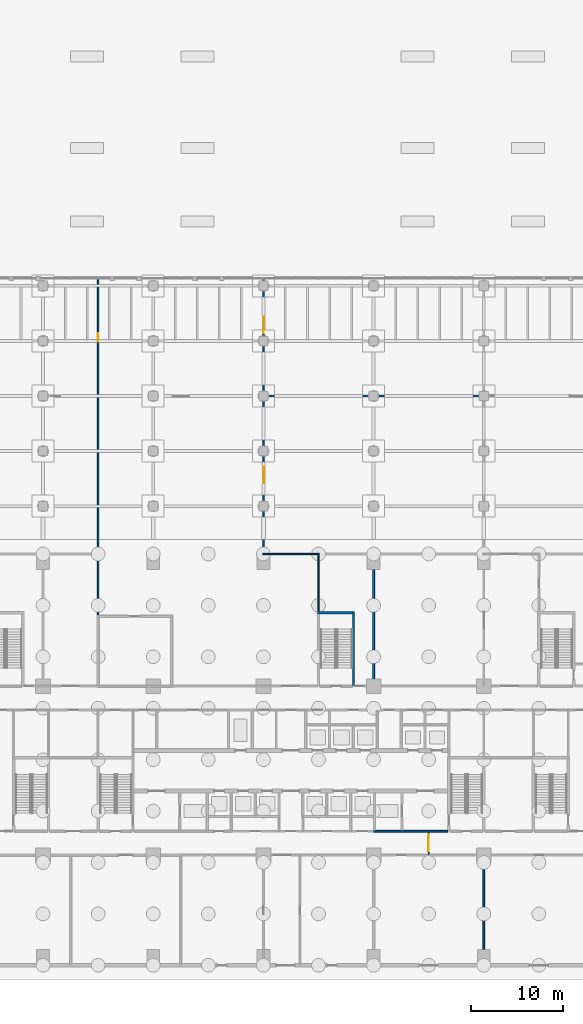
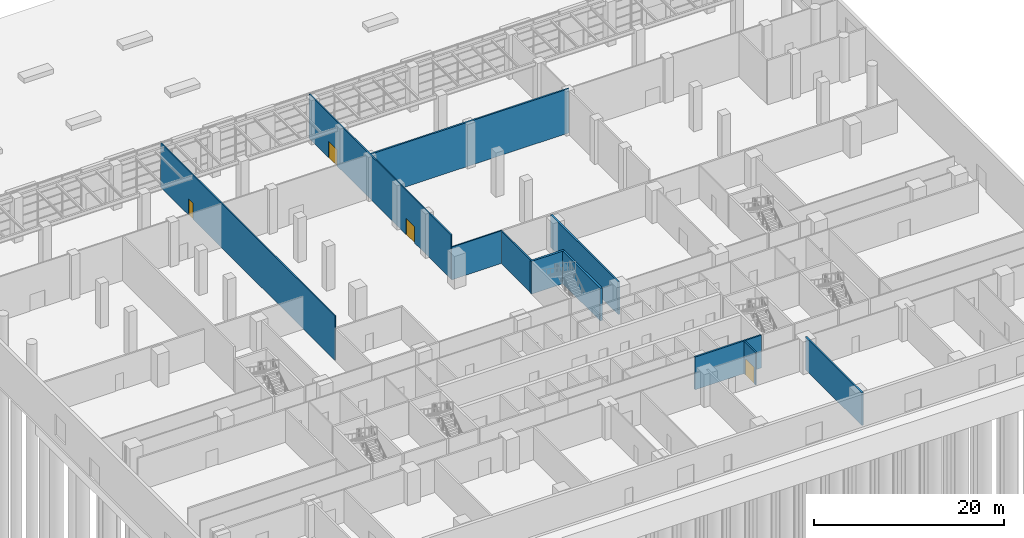
# One storey, part 19 of 27: 11 walls, 4 doors, 4 openings.
"""IFC4 building model written with IfcOpenShell, lengths in metres."""

from ifc_helpers import new_model, si_unit, direction, frame, frame_2d, origin, place, context, subcontext, project, spatial, rectangle, extrude, material, layer, layer_set, type_object, element, fill, save


model = new_model("IFC4")

# Units and contexts
model_context = context("Model", 3, precision=1e-05, world=origin(), true_north=direction((0.0, 1.0)))
body_context = subcontext(model_context, "Body", "Model", "MODEL_VIEW")
ifc_project = project(units=[si_unit("LENGTHUNIT", "METRE"), si_unit("AREAUNIT", "SQUARE_METRE"), si_unit("VOLUMEUNIT", "CUBIC_METRE"), si_unit("PLANEANGLEUNIT", "RADIAN"), si_unit("MASSUNIT", "GRAM", prefix="KILO")], contexts=[model_context])

# Site, building, storey
site_placement = place(None, origin())
site = spatial("IfcSite", under=ifc_project, at=site_placement, CompositionType="ELEMENT")
building_placement = place(site_placement, origin())
building = spatial("IfcBuilding", under=site, at=building_placement, Name="Poui Terraces", CompositionType="ELEMENT")
storey_placement = place(building_placement, origin())
storey = spatial("IfcBuildingStorey", under=building, at=storey_placement, Name="L00", CompositionType="ELEMENT", Elevation=0.0)

# Walls
ifc_material_1 = material(Name="Fire-rated masonry wall", Category="masonry")
ifc_layer_1 = layer(ifc_material_1, 0.199951171875)
ifc_layer_set_1 = layer_set([ifc_layer_1], Name="Fire-rated masonry wall")
wall_type_1 = type_object("IfcWallType", Name="COMPARTMENT WALL 200", PredefinedType="PARTITIONING", material=ifc_layer_set_1)
wall_1_placement = place(storey_placement, frame((60.0, 30.47509765625, 0.0), z_axis=(0.0, 0.0, 1.0), x_axis=(0.0, 1.0, 0.0)))
element("IfcWall", 1, at=wall_1_placement, inside=storey, type_object=wall_type_1, Name="COMPARTMENT WALL 200", PredefinedType="PARTITIONING", context=body_context, shape_type="SweptSolid", body=[
    extrude(rectangle(XDim=14.224853515625, YDim=0.199951171875, at=frame_2d((7.1123046875, 0.0))), origin(), (0.0, 0.0, 1.0), 4.199951171875),
])
wall_2_placement = place(storey_placement, frame((72.0, 0.06005859375, 0.0), z_axis=(0.0, 0.0, 1.0), x_axis=(0.0, 1.0, 0.0)))
element("IfcWall", 2, at=wall_2_placement, inside=storey, type_object=wall_type_1, Name="COMPARTMENT WALL 200", PredefinedType="PARTITIONING", context=body_context, shape_type="SweptSolid", body=[
    extrude(rectangle(XDim=11.864990234375, YDim=0.199951171875, at=frame_2d((5.9326171875, 0.0))), origin(), (0.0, 0.0, 1.0), 4.199951171875),
])
ifc_layer_2 = layer(ifc_material_1, 0.199951171875)
ifc_layer_set_2 = layer_set([ifc_layer_2], Name="Fire-rated masonry wall")
wall_type_2 = type_object("IfcWallType", Name="COMPARTMENT WALL 200 5680 HIGH", PredefinedType="PARTITIONING", material=ifc_layer_set_2)
wall_3_placement = place(storey_placement, frame((48.074951171875, 62.0, 0.0), z_axis=(0.0, 0.0, 1.0), x_axis=(1.0, 0.0, 0.0)))
element("IfcWall", 3, at=wall_3_placement, inside=storey, type_object=wall_type_2, Name="COMPARTMENT WALL 200", PredefinedType="PARTITIONING", context=body_context, shape_type="SweptSolid", body=[
    extrude(rectangle(XDim=24.025146484375, YDim=0.199951171875, at=frame_2d((12.0126953125, 0.0))), origin(), (0.0, 0.0, 1.0), 5.679931640625),
])
ifc_material_2 = material(Name="Fire-rated plasterboard wall")
ifc_layer_3 = layer(ifc_material_2, 0.14990234375)
ifc_layer_set_3 = layer_set([ifc_layer_3], Name="Fire-rated plasterboard wall")
wall_type_3 = type_object("IfcWallType", Name="CORRIDOR WALL 150", PredefinedType="PARTITIONING", material=ifc_layer_set_3)
wall_4_placement = place(storey_placement, frame((47.925048828125, 44.800048828125, 0.0), z_axis=(0.0, 0.0, 1.0), x_axis=(1.0, 0.0, 0.0)))
element("IfcWall", 4, at=wall_4_placement, inside=storey, type_object=wall_type_3, Name="CORRIDOR WALL 150", PredefinedType="PARTITIONING", context=body_context, shape_type="SweptSolid", body=[
    extrude(rectangle(XDim=6.14990234375, YDim=0.14990234375, at=frame_2d((3.074951171875, 0.0))), origin(), (0.0, 0.0, 1.0), 4.199951171875),
])
wall_5_placement = place(storey_placement, frame((54.0, 38.534912109375, 0.0), z_axis=(0.0, 0.0, 1.0), x_axis=(0.0, 1.0, 0.0)))
element("IfcWall", 5, at=wall_5_placement, inside=storey, type_object=wall_type_3, Name="CORRIDOR WALL 150", PredefinedType="PARTITIONING", context=body_context, shape_type="SweptSolid", body=[
    extrude(rectangle(XDim=6.1650390625, YDim=0.14990234375, at=frame_2d((3.08251953125, 0.0))), origin(), (0.0, 0.0, 1.0), 4.199951171875),
])

# Wall, opening, door
wall_6_placement = place(storey_placement, frame((66.0, 12.074951171875, 0.0), z_axis=(0.0, 0.0, 1.0), x_axis=(0.0, 1.0, 0.0)))
wall_6 = element("IfcWall", 6, at=wall_6_placement, inside=storey, type_object=wall_type_3, Name="CORRIDOR WALL 150", PredefinedType="PARTITIONING", context=body_context, shape_type="SweptSolid", body=[
    extrude(rectangle(XDim=2.425048828125, YDim=0.14990234375, at=frame_2d((1.21240234375, 0.0))), origin(), (0.0, 0.0, 1.0), 4.199951171875),
])
opening_1_placement = place(wall_6_placement, frame((0.324951171875, 0.0, 0.0)))
opening_1 = element("IfcOpeningElement", 7, at=opening_1_placement, cuts=wall_6, Name="Opening FDD60", PredefinedType="OPENING", context=body_context, shape_type="SweptSolid", body=[
    extrude(rectangle(XDim=1.800048828125, YDim=2.10009765625, at=frame_2d((0.89990234375, 1.050048828125))), frame((0.0, 0.0849609375, 0.0), z_axis=(0.0, -1.0, 0.0), x_axis=(1.0, 0.0, 0.0)), (0.0, 0.0, 1.0), 0.169921875),
])
ifc_material_3 = material(Name="Steel fire door", Category="steel")
door_type_1 = type_object("IfcDoorType", Name="DOUBLE LOBBY FIRE DOOR 1800 X 2100", OperationType="DOUBLE_DOOR_SINGLE_SWING", PredefinedType="DOOR", material=ifc_material_3)
door_1_placement = place(opening_1_placement, origin())
door_1 = element("IfcDoor", 8, at=door_1_placement, inside=storey, type_object=door_type_1, Name="DOUBLE LOBBY FIRE DOOR 057", OperationType="DOUBLE_DOOR_SINGLE_SWING", OverallHeight=2.10009765625, OverallWidth=1.800048828125, PredefinedType="DOOR", context=body_context, shape_type="SweptSolid", body=[
    extrude(rectangle(XDim=1.800048828125, YDim=2.10009765625, at=frame_2d((0.89990234375, 1.050048828125))), frame((0.0, 0.02490234375, 0.0), z_axis=(0.0, -1.0, 0.0), x_axis=(1.0, 0.0, 0.0)), (0.0, 0.0, 1.0), 0.050048828125),
])
fill(opening_1, door_1)

ifc_layer_4 = layer(ifc_material_2, 0.14990234375)
ifc_layer_set_4 = layer_set([ifc_layer_4], Name="Fire-rated plasterboard wall")
wall_type_4 = type_object("IfcWallType", Name="CORRIDOR WALL 150 5680 HIGH", PredefinedType="PARTITIONING", material=ifc_layer_set_4)
wall_7_placement = place(storey_placement, frame((30.0, 38.10009765625, 0.0), z_axis=(0.0, 0.0, 1.0), x_axis=(0.0, 1.0, 0.0)))
wall_7 = element("IfcWall", 9, at=wall_7_placement, inside=storey, type_object=wall_type_4, Name="CORRIDOR WALL 150", PredefinedType="PARTITIONING", context=body_context, shape_type="SweptSolid", body=[
    extrude(rectangle(XDim=36.639892578125, YDim=0.14990234375, at=frame_2d((18.31982421875, 0.0))), origin(), (0.0, 0.0, 1.0), 5.679931640625),
])
opening_2_placement = place(wall_7_placement, frame((29.85009765625, 0.0, 0.0)))
opening_2 = element("IfcOpeningElement", 10, at=opening_2_placement, cuts=wall_7, Name="Opening D90", PredefinedType="OPENING", context=body_context, shape_type="SweptSolid", body=[
    extrude(rectangle(XDim=0.89990234375, YDim=2.10009765625, at=frame_2d((0.449951171875, 1.050048828125))), frame((0.0, 0.0849609375, 0.0), z_axis=(0.0, -1.0, 0.0), x_axis=(1.0, 0.0, 0.0)), (0.0, 0.0, 1.0), 0.169921875),
])
ifc_material_4 = material(Name="Solid core timber door", Category="wood")
door_type_2 = type_object("IfcDoorType", Name="INTERNAL DOOR 900 X 2100", OperationType="NOTDEFINED", PredefinedType="DOOR", material=ifc_material_4)
door_2_placement = place(opening_2_placement, frame((0.89990234375, 0.0, 0.0), z_axis=(0.0, 0.0, 1.0), x_axis=(-1.0, 0.0, 0.0)))
door_2 = element("IfcDoor", 11, at=door_2_placement, inside=storey, type_object=door_type_2, Name="INTERNAL DOOR 083", OperationType="SINGLE_SWING_RIGHT", OverallHeight=2.10009765625, OverallWidth=0.89990234375, PredefinedType="DOOR", context=body_context, shape_type="SweptSolid", body=[
    extrude(rectangle(XDim=0.89990234375, YDim=2.10009765625, at=frame_2d((0.449951171875, 1.050048828125))), frame((0.0, 0.02490234375, 0.0), z_axis=(0.0, -1.0, 0.0), x_axis=(1.0, 0.0, 0.0)), (0.0, 0.0, 1.0), 0.050048828125),
])
fill(opening_2, door_2)

# Wall, openings, doors
wall_8_placement = place(storey_placement, frame((48.0, 44.875, 0.0), z_axis=(0.0, 0.0, 1.0), x_axis=(0.0, 1.0, 0.0)))
wall_8 = element("IfcWall", 12, at=wall_8_placement, inside=storey, type_object=wall_type_4, Name="CORRIDOR WALL 150", PredefinedType="PARTITIONING", context=body_context, shape_type="SweptSolid", body=[
    extrude(rectangle(XDim=29.864990234375, YDim=0.14990234375, at=frame_2d((14.9326171875, 0.0))), origin(), (0.0, 0.0, 1.0), 5.679931640625),
])
opening_3_placement = place(wall_8_placement, frame((23.97509765625, 0.0, 0.0)))
opening_3 = element("IfcOpeningElement", 13, at=opening_3_placement, cuts=wall_8, Name="Opening DD180", PredefinedType="OPENING", context=body_context, shape_type="SweptSolid", body=[
    extrude(rectangle(XDim=1.800048828125, YDim=2.10009765625, at=frame_2d((0.89990234375, 1.050048828125))), frame((0.0, 0.0849609375, 0.0), z_axis=(0.0, -1.0, 0.0), x_axis=(1.0, 0.0, 0.0)), (0.0, 0.0, 1.0), 0.169921875),
])
opening_4_placement = place(wall_8_placement, frame((7.625, 0.0, 0.0)))
opening_4 = element("IfcOpeningElement", 14, at=opening_4_placement, cuts=wall_8, Name="Opening DD180", PredefinedType="OPENING", context=body_context, shape_type="SweptSolid", body=[
    extrude(rectangle(XDim=1.800048828125, YDim=2.10009765625, at=frame_2d((0.89990234375, 1.050048828125))), frame((0.0, 0.0849609375, 0.0), z_axis=(0.0, -1.0, 0.0), x_axis=(1.0, 0.0, 0.0)), (0.0, 0.0, 1.0), 0.169921875),
])
door_type_3 = type_object("IfcDoorType", Name="DOUBLE INTERNAL DOOR 1800 X 2100", OperationType="DOUBLE_DOOR_SINGLE_SWING", PredefinedType="DOOR", material=ifc_material_3)
door_3_placement = place(opening_3_placement, origin())
door_3 = element("IfcDoor", 15, at=door_3_placement, inside=storey, type_object=door_type_3, Name="DOUBLE INTERNAL DOOR 087", OperationType="DOUBLE_DOOR_SINGLE_SWING", OverallHeight=2.10009765625, OverallWidth=1.800048828125, PredefinedType="DOOR", context=body_context, shape_type="SweptSolid", body=[
    extrude(rectangle(XDim=1.800048828125, YDim=2.10009765625, at=frame_2d((0.89990234375, 1.050048828125))), frame((0.0, 0.02490234375, 0.0), z_axis=(0.0, -1.0, 0.0), x_axis=(1.0, 0.0, 0.0)), (0.0, 0.0, 1.0), 0.050048828125),
])
fill(opening_3, door_3)
door_4_placement = place(opening_4_placement, origin())
door_4 = element("IfcDoor", 16, at=door_4_placement, inside=storey, type_object=door_type_3, Name="DOUBLE INTERNAL DOOR 089", OperationType="DOUBLE_DOOR_SINGLE_SWING", OverallHeight=2.10009765625, OverallWidth=1.800048828125, PredefinedType="DOOR", context=body_context, shape_type="SweptSolid", body=[
    extrude(rectangle(XDim=1.800048828125, YDim=2.10009765625, at=frame_2d((0.89990234375, 1.050048828125))), frame((0.0, 0.02490234375, 0.0), z_axis=(0.0, -1.0, 0.0), x_axis=(1.0, 0.0, 0.0)), (0.0, 0.0, 1.0), 0.050048828125),
])
fill(opening_4, door_4)

# Walls
ifc_material_5 = material(Name="Fire-rated masonry shaft wall", Category="masonry")
ifc_layer_5 = layer(ifc_material_5, 0.199951171875)
ifc_layer_set_5 = layer_set([ifc_layer_5], Name="Fire-rated masonry shaft wall")
wall_type_5 = type_object("IfcWallType", Name="SHAFT WALL 200", PredefinedType="PARTITIONING", material=ifc_layer_set_5)
wall_9_placement = place(storey_placement, frame((60.0, 14.60009765625, 0.0), z_axis=(0.0, 0.0, 1.0), x_axis=(1.0, 0.0, 0.0)))
element("IfcWall", 17, at=wall_9_placement, inside=storey, type_object=wall_type_5, Name="SHAFT WALL 200", PredefinedType="PARTITIONING", context=body_context, shape_type="SweptSolid", body=[
    extrude(rectangle(XDim=8.06494140625, YDim=0.199951171875, at=frame_2d((4.032470703125, 0.0))), origin(), (0.0, 0.0, 1.0), 4.199951171875),
])
ifc_material_6 = material(Name="Concrete 80 MPa", Category="concrete")
ifc_layer_6 = layer(ifc_material_6, 0.25)
ifc_layer_set_6 = layer_set([ifc_layer_6], Name="Concrete 80 MPa")
wall_type_6 = type_object("IfcWallType", Name="STAIR CORE WALL 250 80 MPA", PredefinedType="SOLIDWALL", material=ifc_layer_set_6)
wall_10_placement = place(storey_placement, frame((57.800048828125, 30.39990234375, 0.0), z_axis=(0.0, 0.0, 1.0), x_axis=(0.0, 1.0, 0.0)))
element("IfcWall", 18, at=wall_10_placement, inside=storey, type_object=wall_type_6, Name="STAIR CORE WALL", PredefinedType="SOLIDWALL", context=body_context, shape_type="SweptSolid", body=[
    extrude(rectangle(XDim=7.875, YDim=0.25, at=frame_2d((3.9375, 0.0))), origin(), (0.0, 0.0, 1.0), 4.199951171875),
])
wall_11_placement = place(storey_placement, frame((53.875, 38.39990234375, 0.0), z_axis=(0.0, 0.0, 1.0), x_axis=(1.0, 0.0, 0.0)))
element("IfcWall", 19, at=wall_11_placement, inside=storey, type_object=wall_type_6, Name="STAIR CORE WALL", PredefinedType="SOLIDWALL", context=body_context, shape_type="SweptSolid", body=[
    extrude(rectangle(XDim=4.050048828125, YDim=0.25, at=frame_2d((2.02490234375, 0.0))), origin(), (0.0, 0.0, 1.0), 4.199951171875),
])

save(model, "model.ifc")
